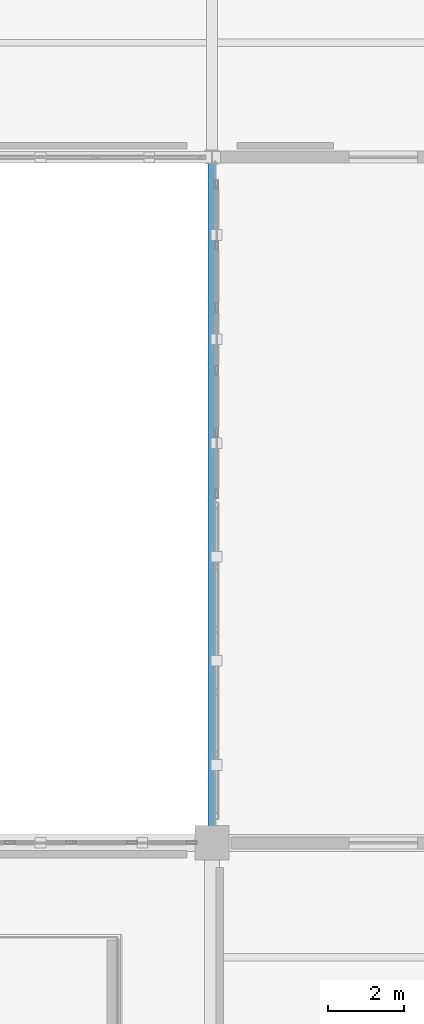
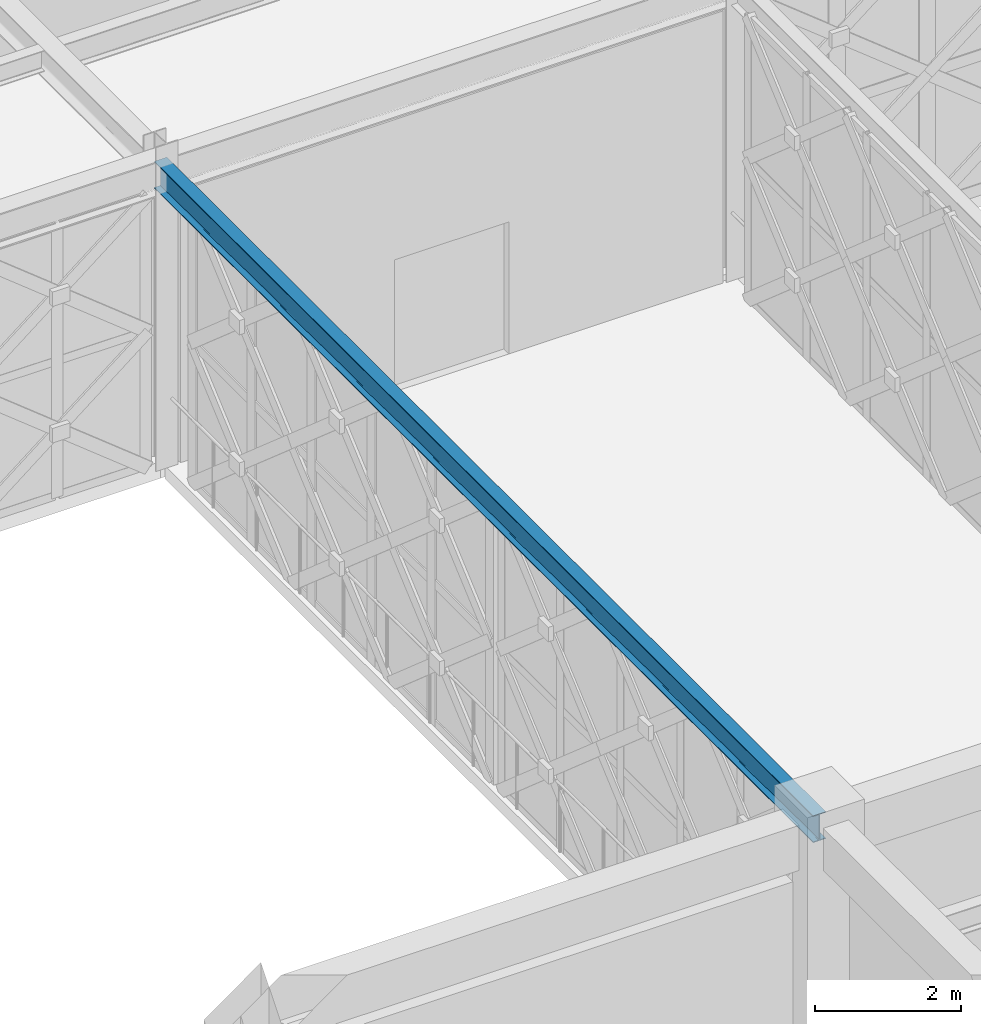
# One storey, part 106 of 166: 1 beam.
"""IFC4 building model written with IfcOpenShell, lengths in metres."""

from ifc_helpers import new_model, si_unit, direction, frame, origin, origin_2d, place, context, subcontext, project, spatial, i_section, extrude, material, material_profile, profile_set, type_object, element, save


model = new_model("IFC4")

# Units and contexts
model_context = context("Model", 3, precision=1e-05, world=origin(), true_north=direction((0.0, 1.0)))
body_context = subcontext(model_context, "Body", "Model", "MODEL_VIEW")
ifc_project = project(units=[si_unit("LENGTHUNIT", "METRE"), si_unit("AREAUNIT", "SQUARE_METRE"), si_unit("VOLUMEUNIT", "CUBIC_METRE"), si_unit("PLANEANGLEUNIT", "RADIAN"), si_unit("MASSUNIT", "GRAM", prefix="KILO")], contexts=[model_context])

# Site, building, storey
site_placement = place(None, origin())
site = spatial("IfcSite", under=ifc_project, at=site_placement, CompositionType="ELEMENT")
building_placement = place(site_placement, origin())
building = spatial("IfcBuilding", under=site, at=building_placement, Name="Haizhuo Lancet Aquarium", CompositionType="ELEMENT")
storey_placement = place(building_placement, frame((0.0, 0.0, 5.39990234375)))
storey = spatial("IfcBuildingStorey", under=building, at=storey_placement, Name="L01", CompositionType="ELEMENT", Elevation=5.39990234375)

# Beam
ifc_material = material(Name="Steel S355", Category="steel")
ifc_material_profile = material_profile(ifc_material, i_section(OverallWidth=0.199951171875, OverallDepth=0.449951171875, WebThickness=0.009033203125, FlangeThickness=0.013916015625, FilletRadius=0.01806640625, at=origin_2d()), Name="HN 450x200x9x14")
ifc_profile_set = profile_set([ifc_material_profile], Name="Steel S355")
beam_type = type_object("IfcBeamType", Name="JST-ST-HN450", PredefinedType="JOIST", material=ifc_profile_set)
beam_placement = place(storey_placement, frame((54.0, -9.0, 4.815185546875), z_axis=(0.0, 1.0, 0.0), x_axis=(-1.0, 0.0, 0.0)))
element("IfcBeam", 1, at=beam_placement, inside=storey, type_object=beam_type, Name="Bridge roof longitudinal girder SB-02 1", PredefinedType="JOIST", context=body_context, shape_type="SweptSolid", body=[
    extrude(i_section(OverallWidth=0.199951171875, OverallDepth=0.449951171875, WebThickness=0.009033203125, FlangeThickness=0.013916015625, FilletRadius=0.01806640625, at=origin_2d()), origin(), (0.0, 0.0, 1.0), 18.0),
])

save(model, "model.ifc")
